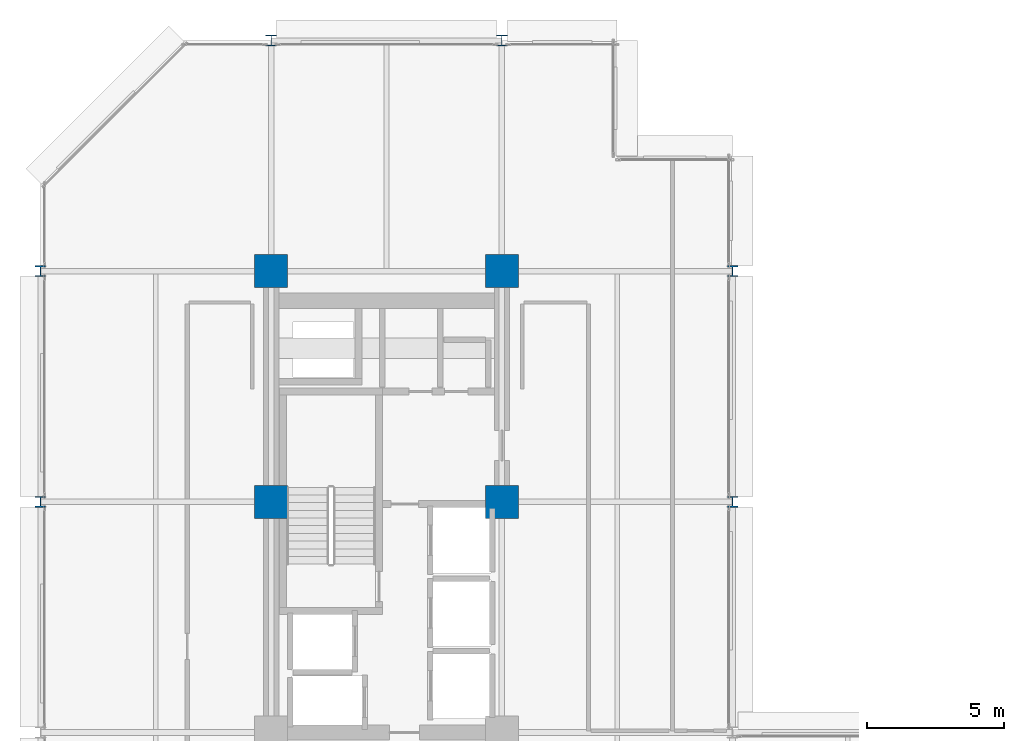
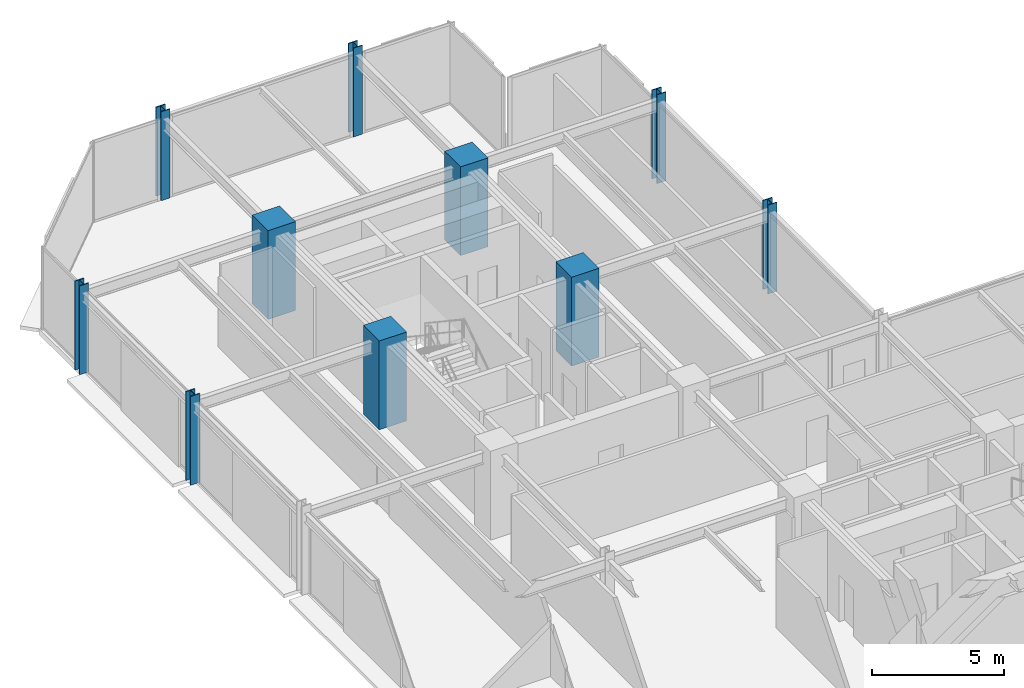
# One storey, part 3 of 40: 10 columns.
"""IFC4 building model written with IfcOpenShell, lengths in metres."""

from ifc_helpers import new_model, si_unit, direction, frame, origin, origin_2d, place, context, subcontext, project, spatial, rectangle, i_section, extrude, material, material_profile, profile_set, type_object, element, save


model = new_model("IFC4")

# Units and contexts
model_context = context("Model", 3, precision=1e-05, world=origin(), true_north=direction((0.0, 1.0)))
body_context = subcontext(model_context, "Body", "Model", "MODEL_VIEW")
ifc_project = project(units=[si_unit("LENGTHUNIT", "METRE"), si_unit("AREAUNIT", "SQUARE_METRE"), si_unit("VOLUMEUNIT", "CUBIC_METRE"), si_unit("PLANEANGLEUNIT", "RADIAN"), si_unit("MASSUNIT", "GRAM", prefix="KILO")], contexts=[model_context])

# Site, building, storey
site_placement = place(None, origin())
site = spatial("IfcSite", under=ifc_project, at=site_placement, CompositionType="ELEMENT")
building_placement = place(site_placement, origin())
building = spatial("IfcBuilding", under=site, at=building_placement, Name="Nerrivon Quay Data Exchange", CompositionType="ELEMENT")
storey_placement = place(building_placement, frame((0.0, 0.0, 109.0)))
storey = spatial("IfcBuildingStorey", under=building, at=storey_placement, Name="L25", CompositionType="ELEMENT", Elevation=109.0)

# Columns
ifc_material_1 = material(Name="Concrete S65 (65 MPa)", Category="concrete")
ifc_material_profile_1 = material_profile(ifc_material_1, rectangle(XDim=1.199951171875, YDim=1.199951171875, at=origin_2d()), Name="RC-COL-1200x1200")
ifc_profile_set_1 = profile_set([ifc_material_profile_1], Name="Concrete S65 (65 MPa)")
column_type_1 = type_object("IfcColumnType", Name="COL-C3-1200", PredefinedType="COLUMN", material=ifc_profile_set_1)
for number, where, z_axis, x_axis, name in (
    (1, (8.39990234375, 33.60009765625, 0.0), (0.0, 0.0, 1.0), (1.0, 0.0, 0.0), "L25 Column (8.4,33.6)"),
    (2, (8.39990234375, 42.0, 0.0), (0.0, 0.0, 1.0), (1.0, 0.0, 0.0), "L25 Column (8.4,42.0)"),
    (3, (16.800048828125, 33.60009765625, 0.0), (0.0, 0.0, 1.0), (1.0, 0.0, 0.0), "L25 Column (16.8,33.6)"),
    (4, (16.800048828125, 42.0, 0.0), (0.0, 0.0, 1.0), (1.0, 0.0, 0.0), "L25 Column (16.8,42.0)"),
):
    element("IfcColumn", number, at=place(storey_placement, frame(where, z_axis=z_axis, x_axis=x_axis)), inside=storey, type_object=column_type_1, Name=name, PredefinedType="COLUMN", context=body_context, shape_type="SweptSolid", body=[
        extrude(rectangle(XDim=1.199951171875, YDim=1.199951171875, at=origin_2d()), origin(), (0.0, 0.0, 1.0), 4.10009765625),
    ])
ifc_material_2 = material(Name="Steel Grade 350", Category="steel")
ifc_material_profile_2 = material_profile(ifc_material_2, i_section(OverallWidth=0.39990234375, OverallDepth=0.39990234375, WebThickness=0.02490234375, FlangeThickness=0.0400390625, at=origin_2d()), Name="400WC328")
ifc_profile_set_2 = profile_set([ifc_material_profile_2], Name="Steel Grade 350")
column_type_2 = type_object("IfcColumnType", Name="COL-SC2-400WC", PredefinedType="COLUMN", material=ifc_profile_set_2)
for number, where, z_axis, x_axis, name in (
    (5, (0.0, 33.60009765625, 0.0), (0.0, 0.0, 1.0), (1.0, 0.0, 0.0), "L25 Column (0.0,33.6)"),
    (6, (0.0, 42.0, 0.0), (0.0, 0.0, 1.0), (1.0, 0.0, 0.0), "L25 Column (0.0,42.0)"),
    (7, (8.39990234375, 50.39990234375, 0.0), (0.0, 0.0, 1.0), (1.0, 0.0, 0.0), "L25 Column (8.4,50.4)"),
    (8, (16.800048828125, 50.39990234375, 0.0), (0.0, 0.0, 1.0), (1.0, 0.0, 0.0), "L25 Column (16.8,50.4)"),
    (9, (25.199951171875, 33.60009765625, 0.0), (0.0, 0.0, 1.0), (1.0, 0.0, 0.0), "L25 Column (25.2,33.6)"),
    (10, (25.199951171875, 42.0, 0.0), (0.0, 0.0, 1.0), (1.0, 0.0, 0.0), "L25 Column (25.2,42.0)"),
):
    element("IfcColumn", number, at=place(storey_placement, frame(where, z_axis=z_axis, x_axis=x_axis)), inside=storey, type_object=column_type_2, Name=name, PredefinedType="COLUMN", context=body_context, shape_type="SweptSolid", body=[
        extrude(i_section(OverallWidth=0.39990234375, OverallDepth=0.39990234375, WebThickness=0.02490234375, FlangeThickness=0.0400390625, at=origin_2d()), origin(), (0.0, 0.0, 1.0), 4.10009765625),
    ])

save(model, "model.ifc")
